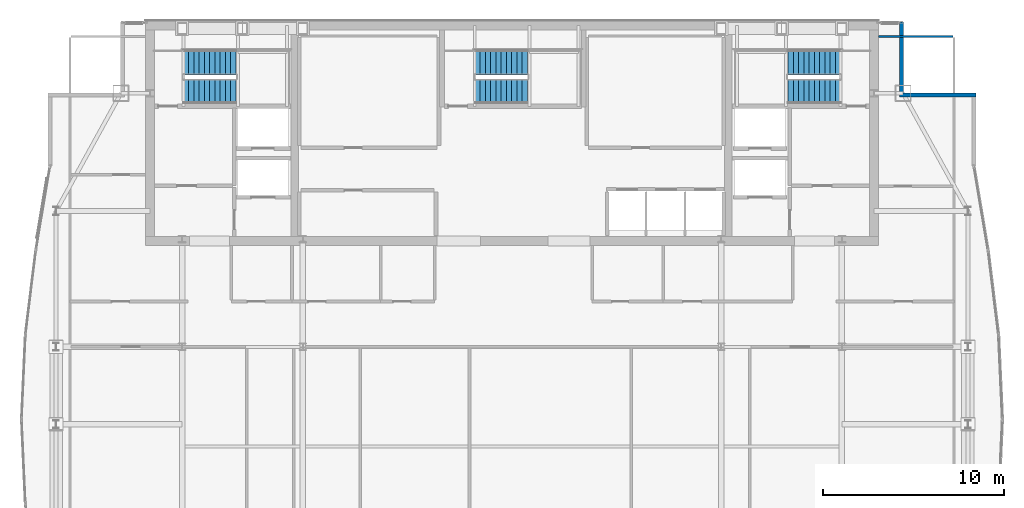
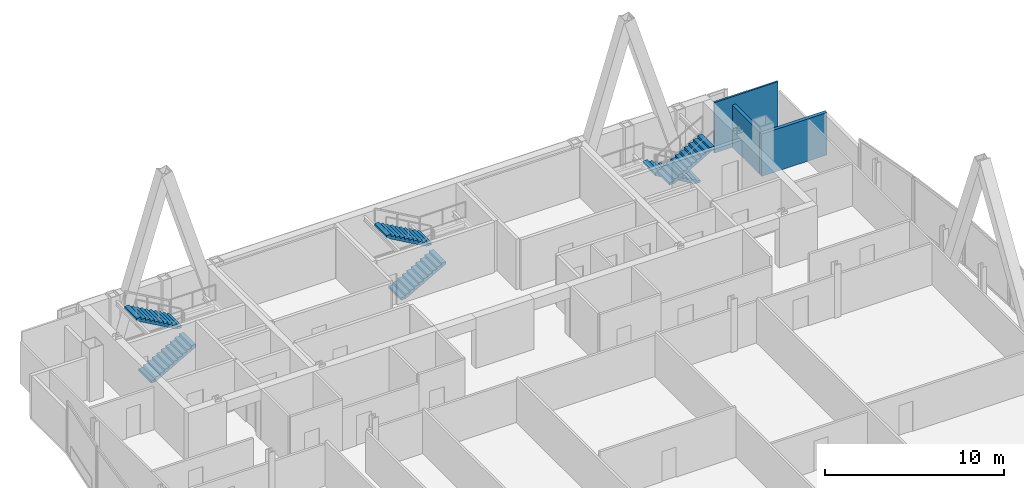
# One storey, part 27 of 29: 6 stair flights, 3 walls, 3 elements without a shape of their own.
"""IFC4 building model written with IfcOpenShell, lengths in metres."""

from ifc_helpers import new_model, si_unit, direction, frame, frame_2d, origin, place, context, subcontext, project, spatial, polyline, rectangle, outline, extrude, material, layer, layer_set, type_object, element, aggregate, save


model = new_model("IFC4")

# Units and contexts
model_context = context("Model", 3, precision=1e-05, world=origin(), true_north=direction((0.0, 1.0)))
body_context = subcontext(model_context, "Body", "Model", "MODEL_VIEW")
ifc_project = project(units=[si_unit("LENGTHUNIT", "METRE"), si_unit("AREAUNIT", "SQUARE_METRE"), si_unit("VOLUMEUNIT", "CUBIC_METRE"), si_unit("PLANEANGLEUNIT", "RADIAN"), si_unit("MASSUNIT", "GRAM", prefix="KILO")], contexts=[model_context])

# Site, building, storey
site_placement = place(None, origin())
site = spatial("IfcSite", under=ifc_project, at=site_placement, CompositionType="ELEMENT")
building_placement = place(site_placement, origin())
building = spatial("IfcBuilding", under=site, at=building_placement, Name="Khoronbel Lancet Exchange", CompositionType="ELEMENT")
storey_placement = place(building_placement, frame((0.0, 0.0, 336.199951171875)))
storey = spatial("IfcBuildingStorey", under=building, at=storey_placement, Name="L87", CompositionType="ELEMENT", Elevation=336.199951171875)

# Walls
ifc_material_1 = material(Name="Precast concrete C40/50", Category="concrete")
ifc_layer_1 = layer(ifc_material_1, 0.25, Name="Precast concrete C40/50")
ifc_layer_set_1 = layer_set([ifc_layer_1], Name="Precast concrete C40/50")
wall_type_1 = type_object("IfcWallType", Name="WL-EXT250", PredefinedType="SOLIDWALL", material=ifc_layer_set_1)
wall_1_placement = place(storey_placement, frame((57.9599609375, 53.6298828125, 0.0), z_axis=(0.0, 0.0, 1.0), x_axis=(0.0, -1.0, 0.0)))
element("IfcWall", 1, at=wall_1_placement, inside=storey, type_object=wall_type_1, Name="Level L87 notched-corner limestone pier 14", PredefinedType="SOLIDWALL", context=body_context, shape_type="SweptSolid", body=[
    extrude(rectangle(XDim=3.909912109375, YDim=0.219970703125, at=frame_2d((1.955078125, 0.0))), origin(), (0.0, 0.0, 1.0), 2.880126953125),
])
wall_2_placement = place(storey_placement, frame((57.85009765625, 49.610107421875, 0.0), z_axis=(0.0, 0.0, 1.0), x_axis=(1.0, 0.0, 0.0)))
element("IfcWall", 2, at=wall_2_placement, inside=storey, type_object=wall_type_1, Name="Level L87 notched-corner limestone pier 15", PredefinedType="SOLIDWALL", context=body_context, shape_type="SweptSolid", body=[
    extrude(rectangle(XDim=4.219970703125, YDim=0.219970703125, at=frame_2d((2.10986328125, 0.0))), origin(), (0.0, 0.0, 1.0), 2.880126953125),
])
ifc_material_2 = material(Name="Acoustic Metal-Stud & Mineral-Wool Gypsum Partition 120 mm", Category="gypsum")
ifc_layer_2 = layer(ifc_material_2, 0.1201171875, Name="Acoustic Metal-Stud & Mineral-Wool Gypsum Partition 120 mm")
ifc_layer_set_2 = layer_set([ifc_layer_2], Name="Acoustic Metal-Stud & Mineral-Wool Gypsum Partition 120 mm")
wall_type_2 = type_object("IfcWallType", Name="WL-PRT120", PredefinedType="PARTITIONING", material=ifc_layer_set_2)
wall_3_placement = place(storey_placement, frame((56.699951171875, 52.840087890625, 0.0), z_axis=(0.0, 0.0, 1.0), x_axis=(1.0, 0.0, 0.0)))
element("IfcWall", 3, at=wall_3_placement, inside=storey, type_object=wall_type_2, Name="Level L87 interior partition PW-LIN-NE", PredefinedType="PARTITIONING", context=body_context, shape_type="SweptSolid", body=[
    extrude(rectangle(XDim=4.10498046875, YDim=0.1201171875, at=frame_2d((2.052490234375, 0.0))), origin(), (0.0, 0.0, 1.0), 3.43994140625),
])

# Stair, stair flights
ifc_material_3 = material(Name="Concrete C40/50", Category="concrete")
stair_type = type_object("IfcStairType", Name="STR-CORE150", PredefinedType="HALF_TURN_STAIR", material=ifc_material_3)
stair_1_placement = place(storey_placement, origin())
stair_1 = element("IfcStair", 4, at=stair_1_placement, inside=storey, type_object=stair_type, Name="L87 Protected Exit Stair ST1", PredefinedType="HALF_TURN_STAIR")
stair_flight_type = type_object("IfcStairFlightType", Name="STF-150", PredefinedType="STRAIGHT", material=ifc_material_3)
stair_flight_1_placement = place(storey_placement, frame((18.300048828125, 49.81005859375, 0.0), z_axis=(0.0, 0.0, 1.0), x_axis=(1.0, 0.0, 0.0)))
stair_flight_1 = element("IfcStairFlight", 5, at=stair_flight_1_placement, type_object=stair_flight_type, Name="ST1 flight 1", NumberOfRisers=11, NumberOfTreads=10, PredefinedType="STRAIGHT", RiserHeight=0.163636364, TreadLength=0.29, context=body_context, shape_type="SweptSolid", body=[
    extrude(outline(polyline([(0.0, 0.0), (0.0, 0.16357421875), (0.2900390625, 0.16357421875), (0.2900390625, 0.327392578125), (0.580078125, 0.327392578125), (0.580078125, 0.490966796875), (0.8701171875, 0.490966796875), (0.8701171875, 0.654541015625), (1.159912109375, 0.654541015625), (1.159912109375, 0.818115234375), (1.449951171875, 0.818115234375), (1.449951171875, 0.98193359375), (1.739990234375, 0.98193359375), (1.739990234375, 1.1455078125), (2.030029296875, 1.1455078125), (2.030029296875, 1.30908203125), (2.320068359375, 1.30908203125), (2.320068359375, 1.47265625), (2.610107421875, 1.47265625), (2.610107421875, 1.636474609375), (2.89990234375, 1.636474609375), (2.89990234375, 1.800048828125), (2.89990234375, 1.46435546875), (0.304931640625, 0.0), (0.0, 0.0)])), frame((0.0, 0.68994140625, 0.0), z_axis=(0.0, -1.0, 0.0), x_axis=(1.0, 0.0, 0.0)), (0.0, 0.0, 1.0), 1.3798828125),
])
stair_flight_2_placement = place(storey_placement, frame((21.199951171875, 51.409912109375, 1.800048828125), z_axis=(0.0, 0.0, 1.0), x_axis=(-1.0, 0.0, 0.0)))
stair_flight_2 = element("IfcStairFlight", 6, at=stair_flight_2_placement, type_object=stair_flight_type, Name="ST1 flight 2", NumberOfRisers=11, NumberOfTreads=10, PredefinedType="STRAIGHT", RiserHeight=0.163636364, TreadLength=0.29, context=body_context, shape_type="SweptSolid", body=[
    extrude(outline(polyline([(0.0, 0.0), (0.0, 0.16357421875), (0.2900390625, 0.16357421875), (0.2900390625, 0.327392578125), (0.580078125, 0.327392578125), (0.580078125, 0.490966796875), (0.8701171875, 0.490966796875), (0.8701171875, 0.654541015625), (1.159912109375, 0.654541015625), (1.159912109375, 0.818115234375), (1.449951171875, 0.818115234375), (1.449951171875, 0.98193359375), (1.739990234375, 0.98193359375), (1.739990234375, 1.1455078125), (2.030029296875, 1.1455078125), (2.030029296875, 1.30908203125), (2.320068359375, 1.30908203125), (2.320068359375, 1.47265625), (2.610107421875, 1.47265625), (2.610107421875, 1.636474609375), (2.89990234375, 1.636474609375), (2.89990234375, 1.800048828125), (2.89990234375, 1.46435546875), (0.304931640625, 0.0), (0.0, 0.0)])), frame((0.0, 0.68994140625, 0.0), z_axis=(0.0, -1.0, 0.0), x_axis=(1.0, 0.0, 0.0)), (0.0, 0.0, 1.0), 1.3798828125),
])
aggregate(stair_1, [stair_flight_1, stair_flight_2])

stair_2_placement = place(storey_placement, origin())
stair_2 = element("IfcStair", 7, at=stair_2_placement, inside=storey, type_object=stair_type, Name="L87 Protected Exit Stair ST2", PredefinedType="HALF_TURN_STAIR")
stair_flight_3_placement = place(storey_placement, frame((54.60009765625, 51.409912109375, 0.0), z_axis=(0.0, 0.0, 1.0), x_axis=(-1.0, 0.0, 0.0)))
stair_flight_3 = element("IfcStairFlight", 8, at=stair_flight_3_placement, type_object=stair_flight_type, Name="ST2 flight 1", NumberOfRisers=11, NumberOfTreads=10, PredefinedType="STRAIGHT", RiserHeight=0.163636364, TreadLength=0.29, context=body_context, shape_type="SweptSolid", body=[
    extrude(outline(polyline([(0.0, 0.0), (0.0, 0.16357421875), (0.2900390625, 0.16357421875), (0.2900390625, 0.327392578125), (0.580078125, 0.327392578125), (0.580078125, 0.490966796875), (0.8701171875, 0.490966796875), (0.8701171875, 0.654541015625), (1.159912109375, 0.654541015625), (1.159912109375, 0.818115234375), (1.449951171875, 0.818115234375), (1.449951171875, 0.98193359375), (1.739990234375, 0.98193359375), (1.739990234375, 1.1455078125), (2.030029296875, 1.1455078125), (2.030029296875, 1.30908203125), (2.320068359375, 1.30908203125), (2.320068359375, 1.47265625), (2.610107421875, 1.47265625), (2.610107421875, 1.636474609375), (2.89990234375, 1.636474609375), (2.89990234375, 1.800048828125), (2.89990234375, 1.46435546875), (0.304931640625, 0.0), (0.0, 0.0)])), frame((0.0, 0.68994140625, 0.0), z_axis=(0.0, -1.0, 0.0), x_axis=(1.0, 0.0, 0.0)), (0.0, 0.0, 1.0), 1.3798828125),
])
stair_flight_4_placement = place(storey_placement, frame((51.699951171875, 49.81005859375, 1.800048828125), z_axis=(0.0, 0.0, 1.0), x_axis=(1.0, 0.0, 0.0)))
stair_flight_4 = element("IfcStairFlight", 9, at=stair_flight_4_placement, type_object=stair_flight_type, Name="ST2 flight 2", NumberOfRisers=11, NumberOfTreads=10, PredefinedType="STRAIGHT", RiserHeight=0.163636364, TreadLength=0.29, context=body_context, shape_type="SweptSolid", body=[
    extrude(outline(polyline([(0.0, 0.0), (0.0, 0.16357421875), (0.2900390625, 0.16357421875), (0.2900390625, 0.327392578125), (0.580078125, 0.327392578125), (0.580078125, 0.490966796875), (0.8701171875, 0.490966796875), (0.8701171875, 0.654541015625), (1.159912109375, 0.654541015625), (1.159912109375, 0.818115234375), (1.449951171875, 0.818115234375), (1.449951171875, 0.98193359375), (1.739990234375, 0.98193359375), (1.739990234375, 1.1455078125), (2.030029296875, 1.1455078125), (2.030029296875, 1.30908203125), (2.320068359375, 1.30908203125), (2.320068359375, 1.47265625), (2.610107421875, 1.47265625), (2.610107421875, 1.636474609375), (2.89990234375, 1.636474609375), (2.89990234375, 1.800048828125), (2.89990234375, 1.46435546875), (0.304931640625, 0.0), (0.0, 0.0)])), frame((0.0, 0.68994140625, 0.0), z_axis=(0.0, -1.0, 0.0), x_axis=(1.0, 0.0, 0.0)), (0.0, 0.0, 1.0), 1.3798828125),
])
aggregate(stair_2, [stair_flight_3, stair_flight_4])

stair_3_placement = place(storey_placement, origin())
stair_3 = element("IfcStair", 10, at=stair_3_placement, inside=storey, type_object=stair_type, Name="L87 Protected Exit Stair ST3", PredefinedType="HALF_TURN_STAIR")
stair_flight_5_placement = place(storey_placement, frame((34.39990234375, 49.81005859375, 0.0), z_axis=(0.0, 0.0, 1.0), x_axis=(1.0, 0.0, 0.0)))
stair_flight_5 = element("IfcStairFlight", 11, at=stair_flight_5_placement, type_object=stair_flight_type, Name="ST3 flight 1", NumberOfRisers=11, NumberOfTreads=10, PredefinedType="STRAIGHT", RiserHeight=0.163636364, TreadLength=0.29, context=body_context, shape_type="SweptSolid", body=[
    extrude(outline(polyline([(0.0, 0.0), (0.0, 0.16357421875), (0.2900390625, 0.16357421875), (0.2900390625, 0.327392578125), (0.580078125, 0.327392578125), (0.580078125, 0.490966796875), (0.8701171875, 0.490966796875), (0.8701171875, 0.654541015625), (1.159912109375, 0.654541015625), (1.159912109375, 0.818115234375), (1.449951171875, 0.818115234375), (1.449951171875, 0.98193359375), (1.739990234375, 0.98193359375), (1.739990234375, 1.1455078125), (2.030029296875, 1.1455078125), (2.030029296875, 1.30908203125), (2.320068359375, 1.30908203125), (2.320068359375, 1.47265625), (2.610107421875, 1.47265625), (2.610107421875, 1.636474609375), (2.89990234375, 1.636474609375), (2.89990234375, 1.800048828125), (2.89990234375, 1.46435546875), (0.304931640625, 0.0), (0.0, 0.0)])), frame((0.0, 0.68994140625, 0.0), z_axis=(0.0, -1.0, 0.0), x_axis=(1.0, 0.0, 0.0)), (0.0, 0.0, 1.0), 1.3798828125),
])
stair_flight_6_placement = place(storey_placement, frame((37.300048828125, 51.409912109375, 1.800048828125), z_axis=(0.0, 0.0, 1.0), x_axis=(-1.0, 0.0, 0.0)))
stair_flight_6 = element("IfcStairFlight", 12, at=stair_flight_6_placement, type_object=stair_flight_type, Name="ST3 flight 2", NumberOfRisers=11, NumberOfTreads=10, PredefinedType="STRAIGHT", RiserHeight=0.163636364, TreadLength=0.29, context=body_context, shape_type="SweptSolid", body=[
    extrude(outline(polyline([(0.0, 0.0), (0.0, 0.16357421875), (0.2900390625, 0.16357421875), (0.2900390625, 0.327392578125), (0.580078125, 0.327392578125), (0.580078125, 0.490966796875), (0.8701171875, 0.490966796875), (0.8701171875, 0.654541015625), (1.159912109375, 0.654541015625), (1.159912109375, 0.818115234375), (1.449951171875, 0.818115234375), (1.449951171875, 0.98193359375), (1.739990234375, 0.98193359375), (1.739990234375, 1.1455078125), (2.030029296875, 1.1455078125), (2.030029296875, 1.30908203125), (2.320068359375, 1.30908203125), (2.320068359375, 1.47265625), (2.610107421875, 1.47265625), (2.610107421875, 1.636474609375), (2.89990234375, 1.636474609375), (2.89990234375, 1.800048828125), (2.89990234375, 1.46435546875), (0.304931640625, 0.0), (0.0, 0.0)])), frame((0.0, 0.68994140625, 0.0), z_axis=(0.0, -1.0, 0.0), x_axis=(1.0, 0.0, 0.0)), (0.0, 0.0, 1.0), 1.3798828125),
])
aggregate(stair_3, [stair_flight_5, stair_flight_6])

save(model, "model.ifc")
